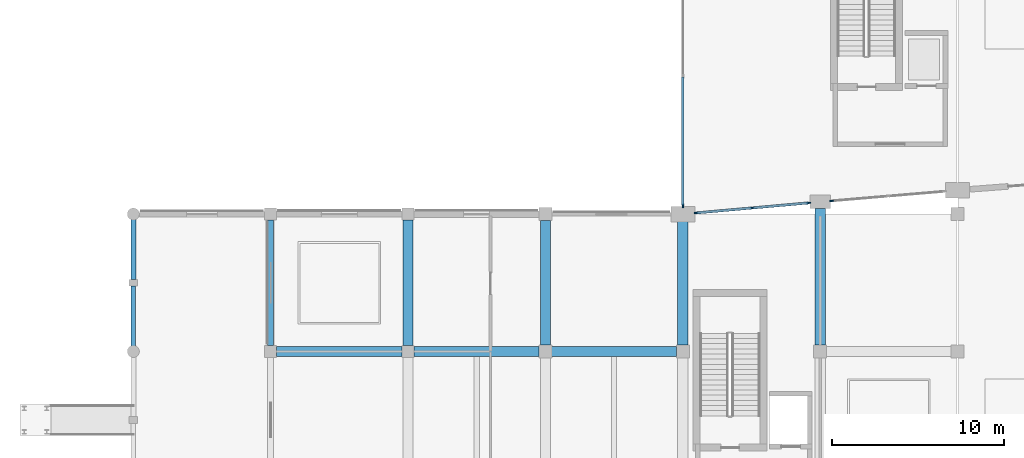
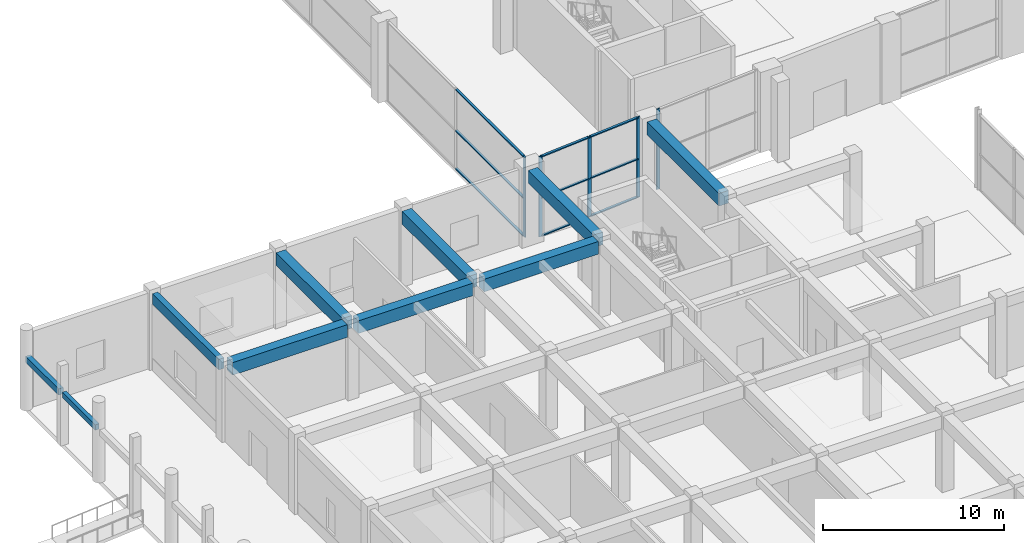
# One storey, part 27 of 86: 14 members, 10 beams, 3 elements without a shape of their own.
"""IFC4 building model written with IfcOpenShell, lengths in metres."""

import ifcopenshell
import ifcopenshell.guid

model = None  # the IFC model being written
_history = None  # IfcOwnerHistory: only IFC2X3 demands one
_inside = {}  # id of a spatial element -> (the spatial element, [elements in it])
_under = {}  # id of a project, library or spatial element -> (it, [spatial elements below it])
_declared = {}  # id of a project -> (the project, [libraries it declares])
_typed = {}  # id of a type object -> (the type object, [elements of that type])
_made_of = {}  # id of a material, layer set ... -> (it, [elements and type objects made of it])


def new_model(schema):
    """Start an empty IFC model of exactly this schema.

    Asked for "IFC4X3", IfcOpenShell would pick the latest addendum, in which some entities
    have other attributes; the version numbers below select the first issue.
    IFC2X3 requires an IfcOwnerHistory on every rooted entity: one is made here for all.
    """
    global model, _history
    if schema == "IFC4X3":
        model = ifcopenshell.file(schema_version=(4, 3, 0, 0))
    else:
        model = ifcopenshell.file(schema=schema)
    _inside.clear()
    _under.clear()
    _declared.clear()
    _typed.clear()
    _made_of.clear()
    _history = None
    if model.schema == "IFC2X3":
        org = make("IfcOrganization", Name="unknown")
        user = make(
            "IfcPersonAndOrganization",
            ThePerson=make("IfcPerson", FamilyName="unknown"),
            TheOrganization=org,
        )
        app = make(
            "IfcApplication",
            ApplicationDeveloper=org,
            Version="unknown",
            ApplicationFullName="unknown",
            ApplicationIdentifier="unknown",
        )
        _history = make(
            "IfcOwnerHistory",
            OwningUser=user,
            OwningApplication=app,
            ChangeAction="ADDED",
            CreationDate=0,
        )
    return model


def make(cls, **values):
    """One entity of the class cls with the attributes given. An attribute that is None is left unset."""
    return model.create_entity(
        cls, **{name: value for name, value in values.items() if value is not None}
    )


def rooted(cls, **values):
    """An entity with a GlobalId (a new one), such as an element, a storey or a relation."""
    return make(cls, GlobalId=ifcopenshell.guid.new(), OwnerHistory=_history, **values)


def si_unit(unit_type, name, prefix=None):
    """IfcSIUnit, for example si_unit("LENGTHUNIT", "METRE", prefix="MILLI")."""
    return make("IfcSIUnit", UnitType=unit_type, Prefix=prefix, Name=name)


def assignment(units):
    """IfcUnitAssignment: the units of a project."""
    return None if units is None else make("IfcUnitAssignment", Units=units)


def point(xyz):
    """IfcCartesianPoint."""
    return None if xyz is None else make("IfcCartesianPoint", Coordinates=xyz)


def direction(xyz):
    """IfcDirection."""
    return None if xyz is None else make("IfcDirection", DirectionRatios=xyz)


def frame(location, z_axis=None, x_axis=None):
    """IfcAxis2Placement3D, a coordinate frame: its origin and axes. An axis left out is left unset."""
    return make(
        "IfcAxis2Placement3D",
        Location=point(location),
        Axis=direction(z_axis),
        RefDirection=direction(x_axis),
    )


def frame_2d(location, x_axis=None):
    """IfcAxis2Placement2D, a coordinate frame in the plane: its origin and x axis."""
    return make(
        "IfcAxis2Placement2D", Location=point(location), RefDirection=direction(x_axis)
    )


def origin():
    """The frame at (0, 0, 0) with its axes left unset."""
    return frame((0.0, 0.0, 0.0))


def origin_2d():
    """The frame at (0, 0) in the plane with its x axis left unset."""
    return frame_2d((0.0, 0.0))


def place(relative_to, where):
    """IfcLocalPlacement: puts the frame where relative to a parent placement (None: the world)."""
    return make(
        "IfcLocalPlacement", PlacementRelTo=relative_to, RelativePlacement=where
    )


def context(
    kind, dimensions, precision=None, world=None, true_north=None, identifier=None
):
    """IfcGeometricRepresentationContext, for example the 3D "Model" context."""
    return make(
        "IfcGeometricRepresentationContext",
        ContextIdentifier=identifier,
        ContextType=kind,
        CoordinateSpaceDimension=dimensions,
        Precision=precision,
        WorldCoordinateSystem=world,
        TrueNorth=true_north,
    )


def subcontext(parent, identifier, kind, view, scale=None):
    """IfcGeometricRepresentationSubContext, for example "Body" below "Model"."""
    return make(
        "IfcGeometricRepresentationSubContext",
        ContextIdentifier=identifier,
        ContextType=kind,
        ParentContext=parent,
        TargetScale=scale,
        TargetView=view,
    )


def project(units=None, contexts=None):
    """IfcProject with its units and contexts."""
    return rooted(
        "IfcProject",
        Name="project",
        RepresentationContexts=contexts,
        UnitsInContext=assignment(units),
    )


def spatial(cls, under=None, at=None, **own):
    """A site, building, storey or space (cls), placed at a placement, below another one or the project."""
    s = rooted(cls, ObjectPlacement=at, **own)
    if under is not None:
        _under.setdefault(under.id(), (under, []))[1].append(s)
    return s


def profile(cls, at=None, kind="AREA", **sizes):
    """A parametric profile (cls). Its sizes go by their IFC names, for example OverallWidth=200.0."""
    return make(cls, ProfileType=kind, Position=at, **sizes)


def rectangle(**sizes):
    """IfcRectangleProfileDef."""
    return profile("IfcRectangleProfileDef", **sizes)


def extrude(swept, where, along, depth):
    """IfcExtrudedAreaSolid: the profile swept, set in the frame where, extruded along a direction by depth."""
    return make(
        "IfcExtrudedAreaSolid",
        SweptArea=swept,
        Position=where,
        ExtrudedDirection=direction(along),
        Depth=depth,
    )


def shape(context_of_items, identifier, shape_type, items):
    """IfcShapeRepresentation: the items that make up one representation, for example the "Body"."""
    return make(
        "IfcShapeRepresentation",
        ContextOfItems=context_of_items,
        RepresentationIdentifier=identifier,
        RepresentationType=shape_type,
        Items=items,
    )


def material(Name=None, Category=None):
    """IfcMaterial."""
    return make("IfcMaterial", Name=Name, Category=Category)


def material_profile(
    of_material, cross_section, Name=None, Category=None, Priority=None
):
    """IfcMaterialProfile: a cross section and its material."""
    return make(
        "IfcMaterialProfile",
        Name=Name,
        Material=of_material,
        Profile=cross_section,
        Priority=Priority,
        Category=Category,
    )


def profile_set(profiles, Name=None, composite=None):
    """IfcMaterialProfileSet."""
    return make(
        "IfcMaterialProfileSet",
        Name=Name,
        MaterialProfiles=profiles,
        CompositeProfile=composite,
    )


def made_of(thing, what):
    """Note that an element or type object is made of a material, layer set ...; save() writes the relation."""
    if what is not None:
        _made_of.setdefault(what.id(), (what, []))[1].append(thing)
    return thing


def type_object(cls, material=None, **own):
    """A type object (cls), such as IfcWallType, which elements share."""
    return made_of(rooted(cls, **own), material)


def element(
    cls,
    number,
    at=None,
    inside=None,
    cuts=None,
    type_object=None,
    material=None,
    context=None,
    identifier="Body",
    shape_type=None,
    held_by="IfcProductDefinitionShape",
    body=None,
    shapes=None,
    **own,
):
    """One element of the class cls, such as IfcWall. Its Tag is "e" and its number.

    at: its placement. inside: the storey or other place that contains it. cuts: it is an
    opening in that element (IfcRelVoidsElement). A single representation is given by context,
    identifier, shape_type and body (its items); several are given by shapes. held_by: the class
    of the entity that holds the representations. save() writes the other relations.
    """
    e = rooted(cls, Tag="e%d" % number, ObjectPlacement=at, **own)
    if body is not None:
        shapes = [shape(context, identifier, shape_type, body)]
    if shapes is not None:
        e.Representation = make(held_by, Representations=shapes)
    if inside is not None:
        _inside.setdefault(inside.id(), (inside, []))[1].append(e)
    if cuts is not None:
        rooted(
            "IfcRelVoidsElement", RelatingBuildingElement=cuts, RelatedOpeningElement=e
        )
    if type_object is not None:
        _typed.setdefault(type_object.id(), (type_object, []))[1].append(e)
    return made_of(e, material)


def aggregate(whole, parts):
    """IfcRelAggregates: a whole, such as a stair, and the parts it consists of."""
    return rooted("IfcRelAggregates", RelatingObject=whole, RelatedObjects=parts)


def save(model, path):
    """Write the relations noted so far, then the file.

    IfcRelAggregates (storeys below a building ...), IfcRelContainedInSpatialStructure (elements
    in a storey), IfcRelDefinesByType, IfcRelAssociatesMaterial and IfcRelDeclares: one each for
    every whole, place, type object, material and project.
    """
    for whole, parts in _under.values():
        aggregate(whole, parts)
    for where, things in _inside.values():
        rooted(
            "IfcRelContainedInSpatialStructure",
            RelatedElements=things,
            RelatingStructure=where,
        )
    for kind, things in _typed.values():
        rooted("IfcRelDefinesByType", RelatedObjects=things, RelatingType=kind)
    for what, things in _made_of.values():
        rooted("IfcRelAssociatesMaterial", RelatedObjects=things, RelatingMaterial=what)
    for by, libraries in _declared.values():
        rooted("IfcRelDeclares", RelatingContext=by, RelatedDefinitions=libraries)
    model.write(path)


model = new_model("IFC4")

# Units and contexts
model_context = context("Model", 3, precision=1e-05, world=origin(), true_north=direction((0.0, 1.0)))
body_context = subcontext(model_context, "Body", "Model", "MODEL_VIEW")
ifc_project = project(units=[si_unit("LENGTHUNIT", "METRE"), si_unit("AREAUNIT", "SQUARE_METRE"), si_unit("VOLUMEUNIT", "CUBIC_METRE"), si_unit("PLANEANGLEUNIT", "RADIAN"), si_unit("MASSUNIT", "GRAM", prefix="KILO")], contexts=[model_context])

# Site, building, storey
site_placement = place(None, origin())
site = spatial("IfcSite", under=ifc_project, at=site_placement, CompositionType="ELEMENT")
building_placement = place(site_placement, origin())
building = spatial("IfcBuilding", under=site, at=building_placement, Name="Kenh Van Central Station", CompositionType="ELEMENT")
storey_placement = place(building_placement, origin())
storey = spatial("IfcBuildingStorey", under=building, at=storey_placement, Name="L00", CompositionType="ELEMENT", Elevation=0.0)

# Beams
ifc_material_1 = material(Name="Concrete C35/45", Category="concrete")
ifc_material_profile_1 = material_profile(ifc_material_1, rectangle(XDim=0.60009765625, YDim=0.85009765625, at=origin_2d()), Name="RC 600x850")
ifc_profile_set_1 = profile_set([ifc_material_profile_1], Name="Concrete C35/45")
beam_type_1 = type_object("IfcBeamType", Name="BM-RC-600x850", PredefinedType="BEAM", material=ifc_profile_set_1)
beam_1_placement = place(storey_placement, frame((8.340087890625, 56.0, 4.695068359375), z_axis=(1.0, 0.0, 0.0), x_axis=(0.0, 1.0, 0.0)))
element("IfcBeam", 1, at=beam_1_placement, inside=storey, type_object=beam_type_1, Name="L00 beam 0437", PredefinedType="BEAM", context=body_context, shape_type="SweptSolid", body=[
    extrude(rectangle(XDim=0.60009765625, YDim=0.85009765625, at=origin_2d()), origin(), (0.0, 0.0, 1.0), 7.31982421875),
])
beam_2_placement = place(storey_placement, frame((16.340087890625, 56.0, 4.695068359375), z_axis=(1.0, 0.0, 0.0), x_axis=(0.0, 1.0, 0.0)))
element("IfcBeam", 2, at=beam_2_placement, inside=storey, type_object=beam_type_1, Name="L00 beam 0438", PredefinedType="BEAM", context=body_context, shape_type="SweptSolid", body=[
    extrude(rectangle(XDim=0.60009765625, YDim=0.85009765625, at=origin_2d()), origin(), (0.0, 0.0, 1.0), 7.294921875),
])
beam_3_placement = place(storey_placement, frame((24.364990234375, 56.0, 4.695068359375), z_axis=(1.0, 0.0, 0.0), x_axis=(0.0, 1.0, 0.0)))
element("IfcBeam", 3, at=beam_3_placement, inside=storey, type_object=beam_type_1, Name="L00 beam 0439", PredefinedType="BEAM", context=body_context, shape_type="SweptSolid", body=[
    extrude(rectangle(XDim=0.60009765625, YDim=0.85009765625, at=origin_2d()), origin(), (0.0, 0.0, 1.0), 7.27001953125),
])
beam_4_placement = place(storey_placement, frame((16.0, 56.340087890625, 4.695068359375), z_axis=(0.0, 1.0, 0.0), x_axis=(-1.0, 0.0, 0.0)))
element("IfcBeam", 4, at=beam_4_placement, inside=storey, type_object=beam_type_1, Name="L00 beam 0479", PredefinedType="BEAM", context=body_context, shape_type="SweptSolid", body=[
    extrude(rectangle(XDim=0.60009765625, YDim=0.85009765625, at=origin_2d()), origin(), (0.0, 0.0, 1.0), 7.31982421875),
])
beam_5_placement = place(storey_placement, frame((24.0, 56.364990234375, 4.695068359375), z_axis=(0.0, 1.0, 0.0), x_axis=(-1.0, 0.0, 0.0)))
element("IfcBeam", 5, at=beam_5_placement, inside=storey, type_object=beam_type_1, Name="L00 beam 0486", PredefinedType="BEAM", context=body_context, shape_type="SweptSolid", body=[
    extrude(rectangle(XDim=0.60009765625, YDim=0.85009765625, at=origin_2d()), origin(), (0.0, 0.0, 1.0), 7.27001953125),
])
beam_6_placement = place(storey_placement, frame((32.0, 56.364990234375, 4.695068359375), z_axis=(0.0, 1.0, 0.0), x_axis=(-1.0, 0.0, 0.0)))
element("IfcBeam", 6, at=beam_6_placement, inside=storey, type_object=beam_type_1, Name="L00 beam 0493", PredefinedType="BEAM", context=body_context, shape_type="SweptSolid", body=[
    extrude(rectangle(XDim=0.60009765625, YDim=0.85009765625, at=origin_2d()), origin(), (0.0, 0.0, 1.0), 7.195068359375),
])
beam_7_placement = place(storey_placement, frame((40.0, 56.364990234375, 4.695068359375), z_axis=(0.0, 1.0, 0.0), x_axis=(-1.0, 0.0, 0.0)))
element("IfcBeam", 7, at=beam_7_placement, inside=storey, type_object=beam_type_1, Name="L00 beam 0500", PredefinedType="BEAM", context=body_context, shape_type="SweptSolid", body=[
    extrude(rectangle(XDim=0.60009765625, YDim=0.85009765625, at=origin_2d()), origin(), (0.0, 0.0, 1.0), 7.95703125),
])

# Curtain wall, member
ifc_material_2 = material(Name="Champagne anodised aluminium", Category="aluminium")
curtain_wall_type = type_object("IfcCurtainWallType", Name="CW-HALL-A", PredefinedType="NOTDEFINED", material=ifc_material_2)
curtain_wall_1_placement = place(storey_placement, origin())
curtain_wall_1 = element("IfcCurtainWall", 8, at=curtain_wall_1_placement, inside=storey, type_object=curtain_wall_type, Name="L00 curtain wall 016", PredefinedType="NOTDEFINED")
ifc_material_profile_2 = material_profile(ifc_material_2, rectangle(XDim=0.08203125, YDim=0.22509765625, at=origin_2d()), Name="AL 82x225")
ifc_profile_set_2 = profile_set([ifc_material_profile_2], Name="Champagne anodised aluminium")
member_type_1 = type_object("IfcMemberType", Name="CWM-70x180", PredefinedType="MULLION", material=ifc_profile_set_2)
member_1_placement = place(storey_placement, frame((32.0, 64.490966796875, 0.0), z_axis=(0.0, 0.0, 1.0), x_axis=(-1.0, 0.0, 0.0)))
member_1 = element("IfcMember", 9, at=member_1_placement, type_object=member_type_1, Name="CW-01 mullion 1", PredefinedType="MULLION", context=body_context, shape_type="SweptSolid", body=[
    extrude(rectangle(XDim=0.08203125, YDim=0.22509765625, at=origin_2d()), origin(), (0.0, 0.0, 1.0), 5.39990234375),
])

# Curtain wall, members
curtain_wall_2_placement = place(storey_placement, origin())
curtain_wall_2 = element("IfcCurtainWall", 10, at=curtain_wall_2_placement, inside=storey, type_object=curtain_wall_type, Name="L00 curtain wall 001", PredefinedType="NOTDEFINED")
ifc_material_profile_3 = material_profile(ifc_material_2, rectangle(XDim=0.080078125, YDim=0.219970703125, at=origin_2d()), Name="AL 80x220")
ifc_profile_set_3 = profile_set([ifc_material_profile_3], Name="Champagne anodised aluminium")
member_type_2 = type_object("IfcMemberType", Name="CWM-80x220", PredefinedType="MULLION", material=ifc_profile_set_3)
member_2_placement = place(storey_placement, frame((32.77392578125, 64.06884765625, 0.0), z_axis=(0.0, 0.0, 1.0), x_axis=(-0.088659604434, 0.996061983283, 0.0)))
member_2 = element("IfcMember", 11, at=member_2_placement, type_object=member_type_2, Name="CW-01 mullion 1", PredefinedType="MULLION", context=body_context, shape_type="SweptSolid", body=[
    extrude(rectangle(XDim=0.080078125, YDim=0.219970703125, at=origin_2d()), origin(), (0.0, 0.0, 1.0), 5.39990234375),
])
member_3_placement = place(storey_placement, frame((36.0517578125, 64.360595703125, 0.0), z_axis=(0.0, 0.0, 1.0), x_axis=(-0.088659604434, 0.996061983283, 0.0)))
member_3 = element("IfcMember", 12, at=member_3_placement, type_object=member_type_2, Name="CW-01 mullion 2", PredefinedType="MULLION", context=body_context, shape_type="SweptSolid", body=[
    extrude(rectangle(XDim=0.080078125, YDim=0.219970703125, at=origin_2d()), origin(), (0.0, 0.0, 1.0), 5.39990234375),
])
member_4_placement = place(storey_placement, frame((39.32958984375, 64.65234375, 0.0), z_axis=(0.0, 0.0, 1.0), x_axis=(-0.088659604434, 0.996061983283, 0.0)))
member_4 = element("IfcMember", 13, at=member_4_placement, type_object=member_type_2, Name="CW-01 mullion 3", PredefinedType="MULLION", context=body_context, shape_type="SweptSolid", body=[
    extrude(rectangle(XDim=0.080078125, YDim=0.219970703125, at=origin_2d()), origin(), (0.0, 0.0, 1.0), 5.39990234375),
])

# Curtain wall, member
curtain_wall_3_placement = place(storey_placement, origin())
curtain_wall_3 = element("IfcCurtainWall", 14, at=curtain_wall_3_placement, inside=storey, type_object=curtain_wall_type, Name="L00 curtain wall 002", PredefinedType="NOTDEFINED")
member_5_placement = place(storey_placement, frame((40.669189453125, 64.7685546875, 0.0), z_axis=(0.0, 0.0, 1.0), x_axis=(-0.084244265333, 0.996445133341, 0.0)))
member_5 = element("IfcMember", 15, at=member_5_placement, type_object=member_type_2, Name="CW-01 mullion 1", PredefinedType="MULLION", context=body_context, shape_type="SweptSolid", body=[
    extrude(rectangle(XDim=0.080078125, YDim=0.219970703125, at=origin_2d()), origin(), (0.0, 0.0, 1.0), 5.39990234375),
])
aggregate(curtain_wall_3, [member_5])

# Member
ifc_material_profile_4 = material_profile(ifc_material_2, rectangle(XDim=0.14990234375, YDim=0.070068359375, at=origin_2d()), Name="AL 150x70")
ifc_profile_set_4 = profile_set([ifc_material_profile_4], Name="Champagne anodised aluminium")
member_type_3 = type_object("IfcMemberType", Name="CWT-150x70", PredefinedType="USERDEFINED", material=ifc_profile_set_4)
member_6_placement = place(storey_placement, frame((32.81396484375, 64.072509765625, 0.034912109375), z_axis=(0.996061604966, 0.088663854599, 0.0), x_axis=(-0.088663854599, 0.996061604966, 0.0)))
member_6 = element("IfcMember", 16, at=member_6_placement, type_object=member_type_3, Name="CW-01 transom 1.1", ObjectType="TRANSOM", PredefinedType="USERDEFINED", context=body_context, shape_type="SweptSolid", body=[
    extrude(rectangle(XDim=0.14990234375, YDim=0.070068359375, at=origin_2d()), origin(), (0.0, 0.0, 1.0), 3.210693359375),
])

member_7_placement = place(storey_placement, frame((32.81396484375, 64.072509765625, 2.592041015625), z_axis=(0.996061604966, 0.088663854599, 0.0), x_axis=(-0.088663854599, 0.996061604966, 0.0)))
member_7 = element("IfcMember", 17, at=member_7_placement, type_object=member_type_3, Name="CW-01 transom 1.2", ObjectType="TRANSOM", PredefinedType="USERDEFINED", context=body_context, shape_type="SweptSolid", body=[
    extrude(rectangle(XDim=0.14990234375, YDim=0.070068359375, at=origin_2d()), origin(), (0.0, 0.0, 1.0), 3.210693359375),
])

member_8_placement = place(storey_placement, frame((32.81396484375, 64.072509765625, 5.364990234375), z_axis=(0.996061604966, 0.088663854599, 0.0), x_axis=(-0.088663854599, 0.996061604966, 0.0)))
member_8 = element("IfcMember", 18, at=member_8_placement, type_object=member_type_3, Name="CW-01 transom 1.3", ObjectType="TRANSOM", PredefinedType="USERDEFINED", context=body_context, shape_type="SweptSolid", body=[
    extrude(rectangle(XDim=0.14990234375, YDim=0.070068359375, at=origin_2d()), origin(), (0.0, 0.0, 1.0), 3.210693359375),
])

member_9_placement = place(storey_placement, frame((36.091552734375, 64.3642578125, 0.034912109375), z_axis=(0.996062202678, 0.088657139567, 0.0), x_axis=(-0.088657139567, 0.996062202678, 0.0)))
member_9 = element("IfcMember", 19, at=member_9_placement, type_object=member_type_3, Name="CW-01 transom 2.1", ObjectType="TRANSOM", PredefinedType="USERDEFINED", context=body_context, shape_type="SweptSolid", body=[
    extrude(rectangle(XDim=0.14990234375, YDim=0.070068359375, at=origin_2d()), origin(), (0.0, 0.0, 1.0), 3.2109375),
])

member_10_placement = place(storey_placement, frame((36.091552734375, 64.3642578125, 2.592041015625), z_axis=(0.996062202678, 0.088657139567, 0.0), x_axis=(-0.088657139567, 0.996062202678, 0.0)))
member_10 = element("IfcMember", 20, at=member_10_placement, type_object=member_type_3, Name="CW-01 transom 2.2", ObjectType="TRANSOM", PredefinedType="USERDEFINED", context=body_context, shape_type="SweptSolid", body=[
    extrude(rectangle(XDim=0.14990234375, YDim=0.070068359375, at=origin_2d()), origin(), (0.0, 0.0, 1.0), 3.2109375),
])

member_11_placement = place(storey_placement, frame((36.091552734375, 64.3642578125, 5.364990234375), z_axis=(0.996062202678, 0.088657139567, 0.0), x_axis=(-0.088657139567, 0.996062202678, 0.0)))
member_11 = element("IfcMember", 21, at=member_11_placement, type_object=member_type_3, Name="CW-01 transom 2.3", ObjectType="TRANSOM", PredefinedType="USERDEFINED", context=body_context, shape_type="SweptSolid", body=[
    extrude(rectangle(XDim=0.14990234375, YDim=0.070068359375, at=origin_2d()), origin(), (0.0, 0.0, 1.0), 3.2109375),
])

aggregate(curtain_wall_2, [member_2, member_3, member_4, member_6, member_7, member_8, member_9, member_10, member_11])

member_12_placement = place(storey_placement, frame((32.0, 64.531982421875, 0.034912109375), z_axis=(0.0, 1.0, 0.0), x_axis=(-1.0, 0.0, 0.0)))
member_12 = element("IfcMember", 22, at=member_12_placement, type_object=member_type_3, Name="CW-01 transom 1.1", ObjectType="TRANSOM", PredefinedType="USERDEFINED", context=body_context, shape_type="SweptSolid", body=[
    extrude(rectangle(XDim=0.14990234375, YDim=0.070068359375, at=origin_2d()), origin(), (0.0, 0.0, 1.0), 7.451904296875),
])

member_13_placement = place(storey_placement, frame((32.0, 64.531982421875, 2.592041015625), z_axis=(0.0, 1.0, 0.0), x_axis=(-1.0, 0.0, 0.0)))
member_13 = element("IfcMember", 23, at=member_13_placement, type_object=member_type_3, Name="CW-01 transom 1.2", ObjectType="TRANSOM", PredefinedType="USERDEFINED", context=body_context, shape_type="SweptSolid", body=[
    extrude(rectangle(XDim=0.14990234375, YDim=0.070068359375, at=origin_2d()), origin(), (0.0, 0.0, 1.0), 7.451904296875),
])

member_14_placement = place(storey_placement, frame((32.0, 64.531982421875, 5.364990234375), z_axis=(0.0, 1.0, 0.0), x_axis=(-1.0, 0.0, 0.0)))
member_14 = element("IfcMember", 24, at=member_14_placement, type_object=member_type_3, Name="CW-01 transom 1.3", ObjectType="TRANSOM", PredefinedType="USERDEFINED", context=body_context, shape_type="SweptSolid", body=[
    extrude(rectangle(XDim=0.14990234375, YDim=0.070068359375, at=origin_2d()), origin(), (0.0, 0.0, 1.0), 7.451904296875),
])

aggregate(curtain_wall_1, [member_1, member_12, member_13, member_14])

# Beams
ifc_material_profile_5 = material_profile(ifc_material_1, rectangle(XDim=0.25, YDim=0.360107421875, at=origin_2d()), Name="RC 250x360")
ifc_profile_set_5 = profile_set([ifc_material_profile_5], Name="Concrete C35/45")
beam_type_2 = type_object("IfcBeamType", Name="LIN-RC-250x360", PredefinedType="LINTEL", material=ifc_profile_set_5)
beam_8_placement = place(storey_placement, frame((0.0, 56.179931640625, 3.419921875), z_axis=(0.0, 1.0, 0.0), x_axis=(-1.0, 0.0, 0.0)))
element("IfcBeam", 25, at=beam_8_placement, inside=storey, type_object=beam_type_2, Name="West arcade portal lintel 013", PredefinedType="LINTEL", context=body_context, shape_type="SweptSolid", body=[
    extrude(rectangle(XDim=0.25, YDim=0.360107421875, at=origin_2d()), origin(), (0.0, 0.0, 1.0), 3.64013671875),
])
ifc_material_profile_6 = material_profile(ifc_material_1, rectangle(XDim=0.300048828125, YDim=0.419921875, at=origin_2d()), Name="RC 300x420")
ifc_profile_set_6 = profile_set([ifc_material_profile_6], Name="Concrete C35/45")
beam_type_3 = type_object("IfcBeamType", Name="LIN-RC-300x420", PredefinedType="LINTEL", material=ifc_profile_set_6)
beam_9_placement = place(storey_placement, frame((0.0, 60.179931640625, 3.389892578125), z_axis=(0.0, 1.0, 0.0), x_axis=(-1.0, 0.0, 0.0)))
element("IfcBeam", 26, at=beam_9_placement, inside=storey, type_object=beam_type_3, Name="West arcade portal lintel 014", PredefinedType="LINTEL", context=body_context, shape_type="SweptSolid", body=[
    extrude(rectangle(XDim=0.300048828125, YDim=0.419921875, at=origin_2d()), origin(), (0.0, 0.0, 1.0), 3.64013671875),
])
ifc_material_profile_7 = material_profile(ifc_material_1, rectangle(XDim=0.35009765625, YDim=0.699951171875, at=origin_2d()), Name="RC 350x700")
ifc_profile_set_7 = profile_set([ifc_material_profile_7], Name="Concrete C35/45")
beam_type_4 = type_object("IfcBeamType", Name="SPD-RC-350x700", PredefinedType="SPANDREL", material=ifc_profile_set_7)
beam_10_placement = place(storey_placement, frame((8.0, 56.340087890625, 4.77001953125), z_axis=(0.0, 1.0, 0.0), x_axis=(-1.0, 0.0, 0.0)))
element("IfcBeam", 27, at=beam_10_placement, inside=storey, type_object=beam_type_4, Name="L00 beam 0472", PredefinedType="SPANDREL", context=body_context, shape_type="SweptSolid", body=[
    extrude(rectangle(XDim=0.35009765625, YDim=0.699951171875, at=origin_2d()), origin(), (0.0, 0.0, 1.0), 7.31982421875),
])

save(model, "model.ifc")
